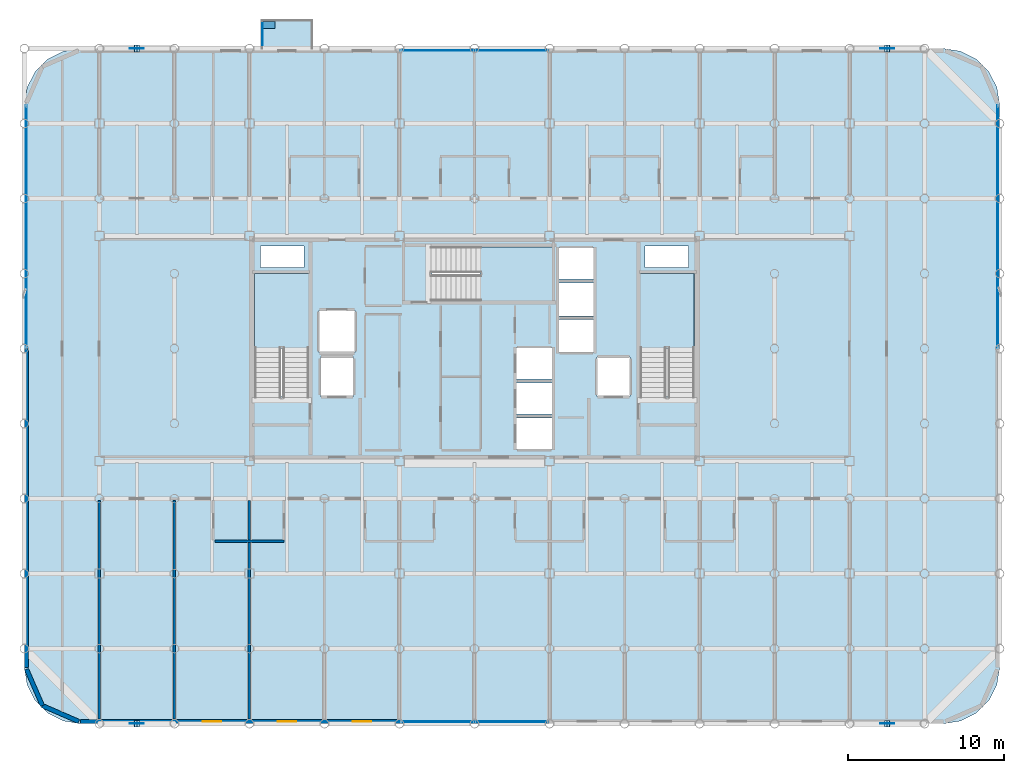
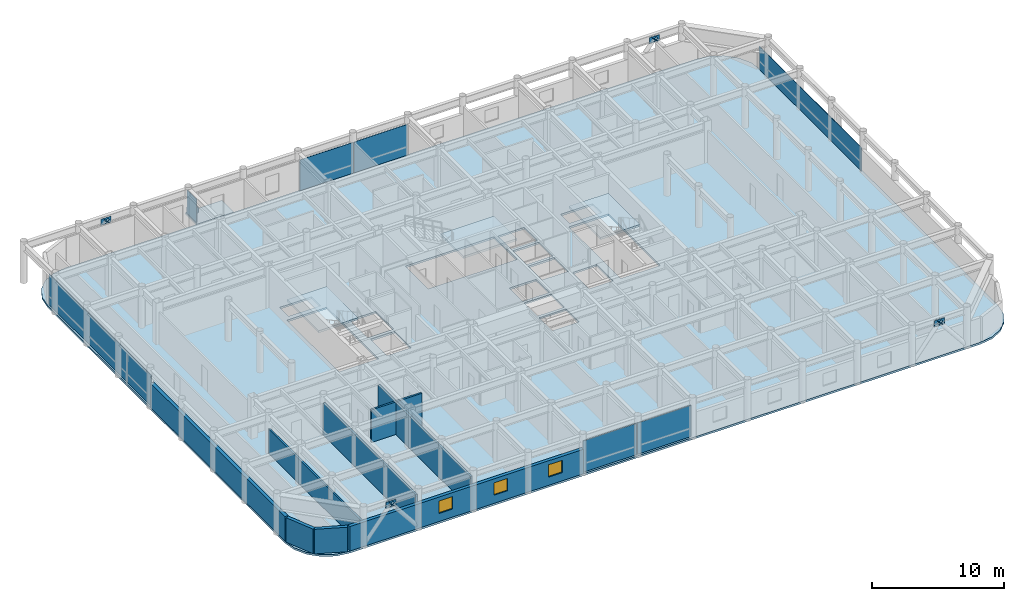
# One storey, part 16 of 23: 20 plates, 8 walls, 5 slabs, 3 windows, 3 openings, 7 elements without a shape of their own.
"""IFC4 building model written with IfcOpenShell, lengths in metres."""

from ifc_helpers import new_model, si_unit, direction, frame, frame_2d, origin, origin_2d, place, context, subcontext, project, spatial, polyline, rectangle, outline, extrude, material, layer, layer_set, type_object, element, fill, aggregate, save


model = new_model("IFC4")

# Units and contexts
model_context = context("Model", 3, precision=1e-05, world=origin(), true_north=direction((0.0, 1.0)))
body_context = subcontext(model_context, "Body", "Model", "MODEL_VIEW")
ifc_project = project(units=[si_unit("LENGTHUNIT", "METRE"), si_unit("AREAUNIT", "SQUARE_METRE"), si_unit("VOLUMEUNIT", "CUBIC_METRE"), si_unit("PLANEANGLEUNIT", "RADIAN"), si_unit("MASSUNIT", "GRAM", prefix="KILO")], contexts=[model_context])

# Site, building, storey
site_placement = place(None, origin())
site = spatial("IfcSite", under=ifc_project, at=site_placement, CompositionType="ELEMENT")
building_placement = place(site_placement, origin())
building = spatial("IfcBuilding", under=site, at=building_placement, Name="Kallvorn Hotel Tower", CompositionType="ELEMENT")
storey_placement = place(building_placement, frame((0.0, 0.0, 195.35009765625)))
storey = spatial("IfcBuildingStorey", under=building, at=storey_placement, Name="L48", CompositionType="ELEMENT", Elevation=195.35009765625)

# Curtain wall, plates
ifc_material_1 = material(Name="Thermally broken black-anodised aluminium AA 6063-T6", Category="aluminium")
ifc_layer_1 = layer(ifc_material_1, 0.22998046875)
ifc_layer_set_1 = layer_set([ifc_layer_1], Name="CW_SYS_5_HOTEL_HIGH")
curtain_wall_type = type_object("IfcCurtainWallType", Name="CW_SYS_5_HOTEL_HIGH", PredefinedType="USERDEFINED", material=ifc_layer_set_1)
curtain_wall_1_placement = place(storey_placement, origin())
curtain_wall_1 = element("IfcCurtainWall", 1, at=curtain_wall_1_placement, inside=storey, type_object=curtain_wall_type, Name="L48 Dark-Glass Curtain Wall CW-L48-SC", ObjectType="UNITISED CURTAIN WALL", PredefinedType="USERDEFINED")
ifc_material_2 = material(Name="Triple-glazed low-e acoustic solar-control dark glass", Category="glass")
ifc_layer_2 = layer(ifc_material_2, 0.04150390625)
ifc_layer_set_2 = layer_set([ifc_layer_2], Name="CW_SYS_5_HOTEL_HIGH_PANEL")
plate_type_1 = type_object("IfcPlateType", Name="CW_SYS_5_HOTEL_HIGH_PANEL", PredefinedType="CURTAIN_PANEL", material=ifc_layer_set_2)
plate_1_placement = place(storey_placement, frame((-2.375, -23.8798828125, 0.06005859375), z_axis=(0.0, 0.0, 1.0), x_axis=(1.0, 0.0, 0.0)))
plate_1 = element("IfcPlate", 2, at=plate_1_placement, type_object=plate_type_1, Name="CW-L48-SC Vision Glass Panel 00", PredefinedType="CURTAIN_PANEL", context=body_context, shape_type="SweptSolid", body=[
    extrude(rectangle(XDim=4.68994140625, YDim=0.04150390625, at=origin_2d()), origin(), (0.0, 0.0, 1.0), 2.89990234375),
])
plate_2_placement = place(storey_placement, frame((2.375, -23.8798828125, 0.06005859375), z_axis=(0.0, 0.0, 1.0), x_axis=(1.0, 0.0, 0.0)))
plate_2 = element("IfcPlate", 3, at=plate_2_placement, type_object=plate_type_1, Name="CW-L48-SC Vision Glass Panel 01", PredefinedType="CURTAIN_PANEL", context=body_context, shape_type="SweptSolid", body=[
    extrude(rectangle(XDim=4.68994140625, YDim=0.04150390625, at=origin_2d()), origin(), (0.0, 0.0, 1.0), 2.89990234375),
])
aggregate(curtain_wall_1, [plate_1, plate_2])

curtain_wall_2_placement = place(storey_placement, origin())
curtain_wall_2 = element("IfcCurtainWall", 4, at=curtain_wall_2_placement, inside=storey, type_object=curtain_wall_type, Name="L48 Dark-Glass Curtain Wall CW-L48-NC", ObjectType="UNITISED CURTAIN WALL", PredefinedType="USERDEFINED")
plate_3_placement = place(storey_placement, frame((-2.375, 19.080078125, 0.059814453125), z_axis=(0.0, 0.0, 1.0), x_axis=(1.0, 0.0, 0.0)))
plate_3 = element("IfcPlate", 5, at=plate_3_placement, type_object=plate_type_1, Name="CW-L48-NC Vision Glass Panel 00", PredefinedType="CURTAIN_PANEL", context=body_context, shape_type="SweptSolid", body=[
    extrude(rectangle(XDim=4.68994140625, YDim=0.04150390625, at=origin_2d()), origin(), (0.0, 0.0, 1.0), 2.85009765625),
])
plate_4_placement = place(storey_placement, frame((2.375, 19.080078125, 0.059814453125), z_axis=(0.0, 0.0, 1.0), x_axis=(1.0, 0.0, 0.0)))
plate_4 = element("IfcPlate", 6, at=plate_4_placement, type_object=plate_type_1, Name="CW-L48-NC Vision Glass Panel 01", PredefinedType="CURTAIN_PANEL", context=body_context, shape_type="SweptSolid", body=[
    extrude(rectangle(XDim=4.68994140625, YDim=0.04150390625, at=origin_2d()), origin(), (0.0, 0.0, 1.0), 2.85009765625),
])
aggregate(curtain_wall_2, [plate_3, plate_4])

# Curtain wall, plate
curtain_wall_3_placement = place(storey_placement, origin())
curtain_wall_3 = element("IfcCurtainWall", 7, at=curtain_wall_3_placement, inside=storey, type_object=curtain_wall_type, Name="L48 Dark-Glass Curtain Wall CW-L48-WN", ObjectType="UNITISED CURTAIN WALL", PredefinedType="USERDEFINED")
plate_5_placement = place(storey_placement, frame((-28.679931640625, 7.81005859375, 0.059814453125), z_axis=(0.0, 0.0, 1.0), x_axis=(0.0, 1.0, 0.0)))
plate_5 = element("IfcPlate", 8, at=plate_5_placement, type_object=plate_type_1, Name="CW-L48-WN Vision Glass Panel 00", PredefinedType="CURTAIN_PANEL", context=body_context, shape_type="SweptSolid", body=[
    extrude(rectangle(XDim=15.52001953125, YDim=0.04150390625, at=origin_2d()), origin(), (0.0, 0.0, 1.0), 2.85009765625),
])
aggregate(curtain_wall_3, [plate_5])

curtain_wall_4_placement = place(storey_placement, origin())
curtain_wall_4 = element("IfcCurtainWall", 9, at=curtain_wall_4_placement, inside=storey, type_object=curtain_wall_type, Name="L48 Dark-Glass Curtain Wall CW-L48-EN", ObjectType="UNITISED CURTAIN WALL", PredefinedType="USERDEFINED")
plate_6_placement = place(storey_placement, frame((33.47998046875, 7.81005859375, 0.06005859375), z_axis=(0.0, 0.0, 1.0), x_axis=(0.0, 1.0, 0.0)))
plate_6 = element("IfcPlate", 10, at=plate_6_placement, type_object=plate_type_1, Name="CW-L48-EN Vision Glass Panel 00", PredefinedType="CURTAIN_PANEL", context=body_context, shape_type="SweptSolid", body=[
    extrude(rectangle(XDim=15.52001953125, YDim=0.04150390625, at=origin_2d()), origin(), (0.0, 0.0, 1.0), 2.14990234375),
])
aggregate(curtain_wall_4, [plate_6])

# Plates
ifc_material_3 = material(Name="Structural steel S355JR", Category="steel")
ifc_layer_3 = layer(ifc_material_3, 0.030029296875)
ifc_layer_set_3 = layer_set([ifc_layer_3], Name="PLT_CAP_30")
plate_type_2 = type_object("IfcPlateType", Name="PLT_CAP_30", PredefinedType="SHEET", material=ifc_layer_set_3)
for number, where, z_axis, x_axis, name in (
    (11, (-21.424072265625, -24.2177734375, 3.031005859375), (0.627357871236, 0.0, 0.778731084135), (0.0, 1.0, 0.0), "EXO-L48-S1A End Cap Plate B"),
    (12, (-21.77587890625, -23.7822265625, 3.031005859375), (-0.627357871236, 0.0, 0.778731084135), (0.0, -1.0, 0.0), "EXO-L48-S1B End Cap Plate B"),
    (13, (26.575927734375, -24.2177734375, 3.031005859375), (0.627357871236, 0.0, 0.778731084135), (0.0, 1.0, 0.0), "EXO-L48-S2A End Cap Plate B"),
    (14, (26.22412109375, -23.7822265625, 3.031005859375), (-0.627357871236, 0.0, 0.778731084135), (0.0, -1.0, 0.0), "EXO-L48-S2B End Cap Plate B"),
    (15, (-21.424072265625, 18.982177734375, 3.031005859375), (0.627357871236, 0.0, 0.778731084135), (0.0, 1.0, 0.0), "EXO-L48-N1A End Cap Plate B"),
    (16, (-21.77587890625, 19.417724609375, 3.031005859375), (-0.627357871236, 0.0, 0.778731084135), (0.0, -1.0, 0.0), "EXO-L48-N1B End Cap Plate B"),
    (17, (26.575927734375, 18.982177734375, 3.031005859375), (0.627357871236, 0.0, 0.778731084135), (0.0, 1.0, 0.0), "EXO-L48-N2A End Cap Plate B"),
    (18, (26.22412109375, 19.417724609375, 3.031005859375), (-0.627357871236, 0.0, 0.778731084135), (0.0, -1.0, 0.0), "EXO-L48-N2B End Cap Plate B"),
):
    element("IfcPlate", number, at=place(storey_placement, frame(where, z_axis=z_axis, x_axis=x_axis)), inside=storey, type_object=plate_type_2, Name=name, PredefinedType="SHEET", context=body_context, shape_type="SweptSolid", body=[
        extrude(outline(polyline([(0.0, 0.0), (0.435546875, 0.0), (0.435546875, 0.4354665365665878), (0.0, 0.4354665365665878), (0.0, 0.0)])), origin(), (0.0, 0.0, -1.0), 0.030029296875),
    ])
ifc_material_4 = material(Name="Stainless-steel cable trellis and botanical substrate", Category="steel")
ifc_layer_4 = layer(ifc_material_4, 0.034912109375)
ifc_layer_set_4 = layer_set([ifc_layer_4], Name="PLT_GREENERY_SCR")
plate_type_3 = type_object("IfcPlateType", Name="PLT_GREENERY_SCR", PredefinedType="USERDEFINED", material=ifc_layer_set_4)
plate_7_placement = place(storey_placement, frame((-13.550048828125, 20.10009765625, 0.0), z_axis=(0.0, 0.0, 1.0), x_axis=(1.0, 0.0, 0.0)))
element("IfcPlate", 19, at=plate_7_placement, inside=storey, type_object=plate_type_3, Name="BALC-L48-N1 Vertical Greenery Trellis Screen", ObjectType="VERTICAL GREENERY SCREEN", PredefinedType="USERDEFINED", context=body_context, shape_type="SweptSolid", body=[
    extrude(rectangle(XDim=0.034912109375, YDim=1.39990234375, at=origin_2d()), origin(), (0.0, 0.0, 1.0), 2.199951171875),
])
ifc_material_5 = material(Name="Structural steel S355JR", Category="steel")
ifc_layer_5 = layer(ifc_material_5, 0.034912109375)
ifc_layer_set_5 = layer_set([ifc_layer_5], Name="PLT_GUSSET_35")
plate_type_4 = type_object("IfcPlateType", Name="PLT_GUSSET_35", PredefinedType="USERDEFINED", material=ifc_layer_set_5)
for number, where, z_axis, x_axis, name in (
    (20, (-21.60009765625, -24.0, 2.83984375), (0.0, 0.0, 1.0), (1.0, 0.0, 0.0), "L48 Exoskeleton Node Gusset S1"),
    (21, (26.39990234375, -24.0, 2.83984375), (0.0, 0.0, 1.0), (1.0, 0.0, 0.0), "L48 Exoskeleton Node Gusset S2"),
    (22, (-21.60009765625, 19.199951171875, 2.83984375), (0.0, 0.0, 1.0), (1.0, 0.0, 0.0), "L48 Exoskeleton Node Gusset N1"),
    (23, (26.39990234375, 19.199951171875, 2.83984375), (0.0, 0.0, 1.0), (1.0, 0.0, 0.0), "L48 Exoskeleton Node Gusset N2"),
):
    element("IfcPlate", number, at=place(storey_placement, frame(where, z_axis=z_axis, x_axis=x_axis)), inside=storey, type_object=plate_type_4, Name=name, ObjectType="GUSSET PLATE", PredefinedType="USERDEFINED", context=body_context, shape_type="SweptSolid", body=[
        extrude(rectangle(XDim=0.89990234375, YDim=0.034912109375, at=origin_2d()), origin(), (0.0, 0.0, 1.0), 0.56005859375),
    ])
ifc_material_6 = material(Name="Powder-coated marine-grade aluminium planter trough", Category="aluminium")
ifc_layer_6 = layer(ifc_material_6, 0.0400390625)
ifc_layer_set_6 = layer_set([ifc_layer_6], Name="PLT_PLANTER_TROUGH")
plate_type_5 = type_object("IfcPlateType", Name="PLT_PLANTER_TROUGH", PredefinedType="USERDEFINED", material=ifc_layer_set_6)
plate_8_placement = place(storey_placement, frame((-13.14990234375, 20.699951171875, 0.0), z_axis=(0.0, 0.0, 1.0), x_axis=(1.0, 0.0, 0.0)))
element("IfcPlate", 24, at=plate_8_placement, inside=storey, type_object=plate_type_5, Name="BALC-L48-N1 Facade Planter Trough", ObjectType="FACADE PLANTER TROUGH", PredefinedType="USERDEFINED", context=body_context, shape_type="SweptSolid", body=[
    extrude(rectangle(XDim=0.800048828125, YDim=0.449951171875, at=origin_2d()), origin(), (0.0, 0.0, 1.0), 0.5),
])

# Slab
ifc_material_7 = material(Name="Concrete C40/50", Category="concrete")
ifc_layer_7 = layer(ifc_material_7, 0.159912109375)
ifc_layer_set_7 = layer_set([ifc_layer_7], Name="SLB_BALCONY_160")
slab_type_1 = type_object("IfcSlabType", Name="SLB_BALCONY_160", PredefinedType="FLOOR", material=ifc_layer_set_7)
slab_1_placement = place(storey_placement, frame((0.0, 0.0, -0.16015625)))
element("IfcSlab", 25, at=slab_1_placement, inside=storey, type_object=slab_type_1, Name="L48 Planted Loggia Balcony BALC-L48-N1", PredefinedType="FLOOR", context=body_context, shape_type="SweptSolid", body=[
    extrude(outline(polyline([(-13.60009765625, 19.199951171875), (-10.39990234375, 19.199951171875), (-10.39990234375, 21.0), (-13.60009765625, 21.0), (-13.60009765625, 19.199951171875)])), origin(), (0.0, 0.0, 1.0), 0.16015625),
])

# Stair, slab
ifc_material_8 = material(Name="Precast concrete C40/50", Category="concrete")
stair_type = type_object("IfcStairType", Name="STR_CORE_DOGLEG", PredefinedType="HALF_TURN_STAIR", material=ifc_material_8)
stair_1_placement = place(storey_placement, origin())
stair_1 = element("IfcStair", 26, at=stair_1_placement, inside=storey, type_object=stair_type, Name="L48 Exit stair ST1", PredefinedType="HALF_TURN_STAIR")
ifc_material_9 = material(Name="Precast concrete C40/50", Category="concrete")
ifc_layer_8 = layer(ifc_material_9, 0.179931640625)
ifc_layer_set_8 = layer_set([ifc_layer_8], Name="SLB_LANDING_180")
slab_type_2 = type_object("IfcSlabType", Name="SLB_LANDING_180", PredefinedType="LANDING", material=ifc_layer_set_8)
slab_2_placement = place(storey_placement, frame((0.0, 0.0, 1.724853515625)))
slab_2 = element("IfcSlab", 27, at=slab_2_placement, type_object=slab_type_2, Name="ST1 landing 1", PredefinedType="LANDING", context=body_context, shape_type="SweptSolid", body=[
    extrude(outline(polyline([(-10.60009765625, 0.010009765625), (-10.60009765625, 4.800048828125), (-14.06005859375, 4.800048828125), (-14.06005859375, 0.010009765625), (-10.60009765625, 0.010009765625)])), origin(), (0.0, 0.0, 1.0), 0.199951171875),
])
aggregate(stair_1, [slab_2])

stair_2_placement = place(storey_placement, origin())
stair_2 = element("IfcStair", 28, at=stair_2_placement, inside=storey, type_object=stair_type, Name="L48 Exit stair ST2", PredefinedType="HALF_TURN_STAIR")
slab_3_placement = place(storey_placement, frame((0.0, 0.0, 1.724853515625)))
slab_3 = element("IfcSlab", 29, at=slab_3_placement, type_object=slab_type_2, Name="ST2 landing 1", PredefinedType="LANDING", context=body_context, shape_type="SweptSolid", body=[
    extrude(outline(polyline([(14.06005859375, 0.010009765625), (14.06005859375, 4.800048828125), (10.60009765625, 4.800048828125), (10.60009765625, 0.010009765625), (14.06005859375, 0.010009765625)])), origin(), (0.0, 0.0, 1.0), 0.199951171875),
])
aggregate(stair_2, [slab_3])

stair_3_placement = place(storey_placement, origin())
stair_3 = element("IfcStair", 30, at=stair_3_placement, inside=storey, type_object=stair_type, Name="L48 Exit stair ST3", PredefinedType="HALF_TURN_STAIR")
slab_4_placement = place(storey_placement, frame((0.0, 0.0, 1.724853515625)))
slab_4 = element("IfcSlab", 31, at=slab_4_placement, type_object=slab_type_2, Name="ST3 landing 1", PredefinedType="LANDING", context=body_context, shape_type="SweptSolid", body=[
    extrude(outline(polyline([(0.360107421875, 3.050048828125), (5.050048828125, 3.050048828125), (5.050048828125, 6.510009765625), (0.360107421875, 6.510009765625), (0.360107421875, 3.050048828125)])), origin(), (0.0, 0.0, 1.0), 0.199951171875),
])
aggregate(stair_3, [slab_4])

# Slab
ifc_material_10 = material(Name="Concrete C40/50", Category="concrete")
ifc_layer_9 = layer(ifc_material_10, 0.179931640625)
ifc_layer_set_9 = layer_set([ifc_layer_9], Name="SLB_TOWER_180")
slab_type_3 = type_object("IfcSlabType", Name="SLB_TOWER_180", PredefinedType="FLOOR", material=ifc_layer_set_9)
slab_5_placement = place(storey_placement, frame((0.0, 0.0, -0.18017578125)))
element("IfcSlab", 32, at=slab_5_placement, inside=storey, type_object=slab_type_3, Name="L48 Structural Floor Slab", PredefinedType="FLOOR", context=body_context, shape_type="SweptSolid", body=[
    extrude(outline(polyline([(30.0, -24.0), (31.112548828125, -23.82373046875), (32.115966796875, -23.3125), (32.91259765625, -22.51611328125), (33.423828125, -21.512451171875), (33.60009765625, -20.39990234375), (33.60009765625, 15.60009765625), (33.423828125, 16.71240234375), (32.91259765625, 17.716064453125), (32.115966796875, 18.512451171875), (31.112548828125, 19.023681640625), (30.0, 19.199951171875), (-25.199951171875, 19.199951171875), (-26.3125, 19.023681640625), (-27.31591796875, 18.512451171875), (-28.112548828125, 17.716064453125), (-28.623779296875, 16.71240234375), (-28.800048828125, 15.60009765625), (-28.800048828125, -20.39990234375), (-28.623779296875, -21.512451171875), (-28.112548828125, -22.51611328125), (-27.31591796875, -23.3125), (-26.3125, -23.82373046875), (-25.199951171875, -24.0), (30.0, -24.0)]), holes=[polyline([(-10.60009765625, -3.070068359375), (-10.60009765625, 4.800048828125), (-14.06005859375, 4.800048828125), (-14.06005859375, -3.070068359375), (-10.60009765625, -3.070068359375)]), polyline([(14.06005859375, -3.070068359375), (14.06005859375, 4.800048828125), (10.60009765625, 4.800048828125), (10.60009765625, -3.070068359375), (14.06005859375, -3.070068359375)]), polyline([(-2.719970703125, 3.050048828125), (5.050048828125, 3.050048828125), (5.050048828125, 6.510009765625), (-2.719970703125, 6.510009765625), (-2.719970703125, 3.050048828125)]), polyline([(2.64990234375, -6.449951171875), (5.0, -6.449951171875), (5.0, -4.449951171875), (2.64990234375, -4.449951171875), (2.64990234375, -6.449951171875)]), polyline([(2.64990234375, -4.199951171875), (5.0, -4.199951171875), (5.0, -2.199951171875), (2.64990234375, -2.199951171875), (2.64990234375, -4.199951171875)]), polyline([(2.64990234375, -1.949951171875), (5.0, -1.949951171875), (5.0, 0.050048828125), (2.64990234375, 0.050048828125), (2.64990234375, -1.949951171875)]), polyline([(5.35009765625, -0.25), (7.64990234375, -0.25), (7.64990234375, 1.85009765625), (5.35009765625, 1.85009765625), (5.35009765625, -0.25)]), polyline([(5.35009765625, 2.10009765625), (7.64990234375, 2.10009765625), (7.64990234375, 4.199951171875), (5.35009765625, 4.199951171875), (5.35009765625, 2.10009765625)]), polyline([(5.35009765625, 4.449951171875), (7.64990234375, 4.449951171875), (7.64990234375, 6.449951171875), (5.35009765625, 6.449951171875), (5.35009765625, 4.449951171875)]), polyline([(-9.85009765625, -3.050048828125), (-7.75, -3.050048828125), (-7.75, -0.550048828125), (-9.85009765625, -0.550048828125), (-9.85009765625, -3.050048828125)]), polyline([(7.85009765625, -3.050048828125), (9.949951171875, -3.050048828125), (9.949951171875, -0.550048828125), (7.85009765625, -0.550048828125), (7.85009765625, -3.050048828125)]), polyline([(-9.949951171875, -0.25), (-7.64990234375, -0.25), (-7.64990234375, 2.449951171875), (-9.949951171875, 2.449951171875), (-9.949951171875, -0.25)]), polyline([(-13.699951171875, 5.199951171875), (-10.89990234375, 5.199951171875), (-10.89990234375, 6.550048828125), (-13.699951171875, 6.550048828125), (-13.699951171875, 5.199951171875)]), polyline([(10.89990234375, 5.199951171875), (13.699951171875, 5.199951171875), (13.699951171875, 6.550048828125), (10.89990234375, 6.550048828125), (10.89990234375, 5.199951171875)])]), origin(), (0.0, 0.0, 1.0), 0.18017578125),
])

# Walls
ifc_material_11 = material(Name="Fire-rated double-layer acoustic gypsum drywall EI 60")
ifc_layer_10 = layer(ifc_material_11, 0.159912109375)
ifc_layer_set_10 = layer_set([ifc_layer_10], Name="WL_DEMISE_160")
wall_type_1 = type_object("IfcWallType", Name="WL_DEMISE_160", PredefinedType="PARTITIONING", material=ifc_layer_set_10)
wall_1_placement = place(storey_placement, frame((-16.610107421875, -12.320068359375, 0.0), z_axis=(0.0, 0.0, 1.0), x_axis=(1.0, 0.0, 0.0)))
element("IfcWall", 33, at=wall_1_placement, inside=storey, type_object=wall_type_1, Name="L48 Suite 4801 Superior Twin Room Partition", PredefinedType="PARTITIONING", context=body_context, shape_type="SweptSolid", body=[
    extrude(rectangle(XDim=4.420166015625, YDim=0.159912109375, at=frame_2d((2.2099609375, 0.0))), origin(), (0.0, 0.0, 1.0), 3.02001953125),
])
for number, where, z_axis, x_axis, name in (
    (34, (-19.199951171875, -23.7099609375, 0.0), (0.0, 0.0, 1.0), (0.0, 1.0, 0.0), "L48 Suite 4801 Superior Twin Room Partition"),
    (35, (-14.39990234375, -23.7099609375, 0.0), (0.0, 0.0, 1.0), (0.0, 1.0, 0.0), "L48 Suite 4801 Superior Twin Room Partition"),
):
    element("IfcWall", number, at=place(storey_placement, frame(where, z_axis=z_axis, x_axis=x_axis)), inside=storey, type_object=wall_type_1, Name=name, PredefinedType="PARTITIONING", context=body_context, shape_type="SweptSolid", body=[
        extrude(rectangle(XDim=13.989990234375, YDim=0.159912109375, at=frame_2d((6.9951171875, 0.0))), origin(), (0.0, 0.0, 1.0), 2.969970703125),
    ])
ifc_material_12 = material(Name="Precast basalt-clad insulated concrete wall C40/50", Category="masonry")
ifc_layer_11 = layer(ifc_material_12, 0.280029296875)
ifc_layer_set_11 = layer_set([ifc_layer_11], Name="WL_EXT_LOGGIA_280")
wall_type_2 = type_object("IfcWallType", Name="WL_EXT_LOGGIA_280", PredefinedType="SOLIDWALL", material=ifc_layer_set_11)
wall_2_placement = place(storey_placement, frame((-28.657958984375, -20.520751953125, 0.0), z_axis=(0.0, 0.0, 1.0), x_axis=(0.398792985289, -0.917040977756, 0.0)))
element("IfcWall", 36, at=wall_2_placement, inside=storey, type_object=wall_type_2, Name="L48 Rounded Corner Exterior Wall SW1", PredefinedType="SOLIDWALL", context=body_context, shape_type="SweptSolid", body=[
    extrude(rectangle(XDim=2.536376953125, YDim=0.280029296875, at=frame_2d((1.26806640625, 0.0))), origin(), (0.0, 0.0, 1.0), 2.27001953125),
])
wall_3_placement = place(storey_placement, frame((-27.646484375, -22.8466796875, 0.0), z_axis=(0.0, 0.0, 1.0), x_axis=(0.917060872934, -0.398747232384, 0.0)))
element("IfcWall", 37, at=wall_3_placement, inside=storey, type_object=wall_type_2, Name="L48 Rounded Corner Exterior Wall SW2", PredefinedType="SOLIDWALL", context=body_context, shape_type="SweptSolid", body=[
    extrude(rectangle(XDim=2.5361328125, YDim=0.280029296875, at=frame_2d((1.26806640625, 0.0))), origin(), (0.0, 0.0, 1.0), 2.27001953125),
])

# Wall, openings, windows
wall_4_placement = place(storey_placement, frame((-25.199951171875, -23.860107421875, 0.0), z_axis=(0.0, 0.0, 1.0), x_axis=(1.0, 0.0, 0.0)))
wall_4 = element("IfcWall", 38, at=wall_4_placement, inside=storey, type_object=wall_type_2, Name="L48 Exterior Envelope Wall EW-L48-SW", PredefinedType="SOLIDWALL", context=body_context, shape_type="SweptSolid", body=[
    extrude(rectangle(XDim=20.449951171875, YDim=0.280029296875, at=frame_2d((10.22509765625, 0.0))), origin(), (0.0, 0.0, 1.0), 2.27001953125),
])
opening_1_placement = place(wall_4_placement, frame((7.800048828125, 0.0, 0.75)))
opening_1 = element("IfcOpeningElement", 39, at=opening_1_placement, cuts=wall_4, Name="Opening W06A", PredefinedType="OPENING", context=body_context, shape_type="SweptSolid", body=[
    extrude(rectangle(XDim=1.199951171875, YDim=1.14990234375, at=frame_2d((0.60009765625, 0.574951171875))), frame((0.0, 0.155029296875, 0.0), z_axis=(0.0, -1.0, 0.0), x_axis=(1.0, 0.0, 0.0)), (0.0, 0.0, 1.0), 0.31005859375),
])
opening_2_placement = place(wall_4_placement, frame((12.60009765625, 0.0, 0.75)))
opening_2 = element("IfcOpeningElement", 40, at=opening_2_placement, cuts=wall_4, Name="Opening W06A", PredefinedType="OPENING", context=body_context, shape_type="SweptSolid", body=[
    extrude(rectangle(XDim=1.199951171875, YDim=1.14990234375, at=frame_2d((0.60009765625, 0.574951171875))), frame((0.0, 0.155029296875, 0.0), z_axis=(0.0, -1.0, 0.0), x_axis=(1.0, 0.0, 0.0)), (0.0, 0.0, 1.0), 0.31005859375),
])
opening_3_placement = place(wall_4_placement, frame((17.39990234375, 0.0, 0.75)))
opening_3 = element("IfcOpeningElement", 41, at=opening_3_placement, cuts=wall_4, Name="Opening W06A", PredefinedType="OPENING", context=body_context, shape_type="SweptSolid", body=[
    extrude(rectangle(XDim=1.199951171875, YDim=1.14990234375, at=frame_2d((0.60009765625, 0.574951171875))), frame((0.0, 0.155029296875, 0.0), z_axis=(0.0, -1.0, 0.0), x_axis=(1.0, 0.0, 0.0)), (0.0, 0.0, 1.0), 0.31005859375),
])
ifc_material_13 = material(Name="Triple-glazed low-e acoustic solar-control dark glass", Category="glass")
window_type = type_object("IfcWindowType", Name="WN_HTL_1200x1150", PartitioningType="SINGLE_PANEL", PredefinedType="WINDOW", material=ifc_material_13)
window_1_placement = place(opening_1_placement, origin())
window_1 = element("IfcWindow", 42, at=window_1_placement, inside=storey, type_object=window_type, Name="L48 Guestroom Exterior Window 03", OverallHeight=1.14990234375, OverallWidth=1.199951171875, PartitioningType="SINGLE_PANEL", PredefinedType="WINDOW", context=body_context, shape_type="SweptSolid", body=[
    extrude(rectangle(XDim=1.199951171875, YDim=1.14990234375, at=frame_2d((0.60009765625, 0.574951171875))), frame((0.0, 0.030029296875, 0.0), z_axis=(0.0, -1.0, 0.0), x_axis=(1.0, 0.0, 0.0)), (0.0, 0.0, 1.0), 0.06005859375),
])
fill(opening_1, window_1)
window_2_placement = place(opening_2_placement, origin())
window_2 = element("IfcWindow", 43, at=window_2_placement, inside=storey, type_object=window_type, Name="L48 Guestroom Exterior Window 04", OverallHeight=1.14990234375, OverallWidth=1.199951171875, PartitioningType="SINGLE_PANEL", PredefinedType="WINDOW", context=body_context, shape_type="SweptSolid", body=[
    extrude(rectangle(XDim=1.199951171875, YDim=1.14990234375, at=frame_2d((0.60009765625, 0.574951171875))), frame((0.0, 0.030029296875, 0.0), z_axis=(0.0, -1.0, 0.0), x_axis=(1.0, 0.0, 0.0)), (0.0, 0.0, 1.0), 0.06005859375),
])
fill(opening_2, window_2)
window_3_placement = place(opening_3_placement, origin())
window_3 = element("IfcWindow", 44, at=window_3_placement, inside=storey, type_object=window_type, Name="L48 Guestroom Exterior Window 05", OverallHeight=1.14990234375, OverallWidth=1.199951171875, PartitioningType="SINGLE_PANEL", PredefinedType="WINDOW", context=body_context, shape_type="SweptSolid", body=[
    extrude(rectangle(XDim=1.199951171875, YDim=1.14990234375, at=frame_2d((0.60009765625, 0.574951171875))), frame((0.0, 0.030029296875, 0.0), z_axis=(0.0, -1.0, 0.0), x_axis=(1.0, 0.0, 0.0)), (0.0, 0.0, 1.0), 0.06005859375),
])
fill(opening_3, window_3)

# Walls
wall_5_placement = place(storey_placement, frame((-28.659912109375, -20.39990234375, 0.0), z_axis=(0.0, 0.0, 1.0), x_axis=(0.0, 1.0, 0.0)))
element("IfcWall", 45, at=wall_5_placement, inside=storey, type_object=wall_type_2, Name="L48 Exterior Envelope Wall EW-L48-WS", PredefinedType="SOLIDWALL", context=body_context, shape_type="SweptSolid", body=[
    extrude(rectangle(XDim=20.3798828125, YDim=0.280029296875, at=frame_2d((10.18994140625, 0.0))), origin(), (0.0, 0.0, 1.0), 2.27001953125),
])
ifc_material_14 = material(Name="Fire-rated double-layer acoustic gypsum drywall EI 60")
ifc_layer_12 = layer(ifc_material_14, 0.14990234375)
ifc_layer_set_12 = layer_set([ifc_layer_12], Name="WL_PART_150")
wall_type_3 = type_object("IfcWallType", Name="WL_PART_150", PredefinedType="PARTITIONING", material=ifc_layer_set_12)
wall_6_placement = place(storey_placement, frame((-24.0, -23.7099609375, 0.0), z_axis=(0.0, 0.0, 1.0), x_axis=(0.0, 1.0, 0.0)))
element("IfcWall", 46, at=wall_6_placement, inside=storey, type_object=wall_type_3, Name="L48 L48 High-Zone South-West Tea Bar Partition", PredefinedType="PARTITIONING", context=body_context, shape_type="SweptSolid", body=[
    extrude(rectangle(XDim=13.989990234375, YDim=0.14990234375, at=frame_2d((6.9951171875, 0.0))), origin(), (0.0, 0.0, 1.0), 2.27001953125),
])

save(model, "model.ifc")
